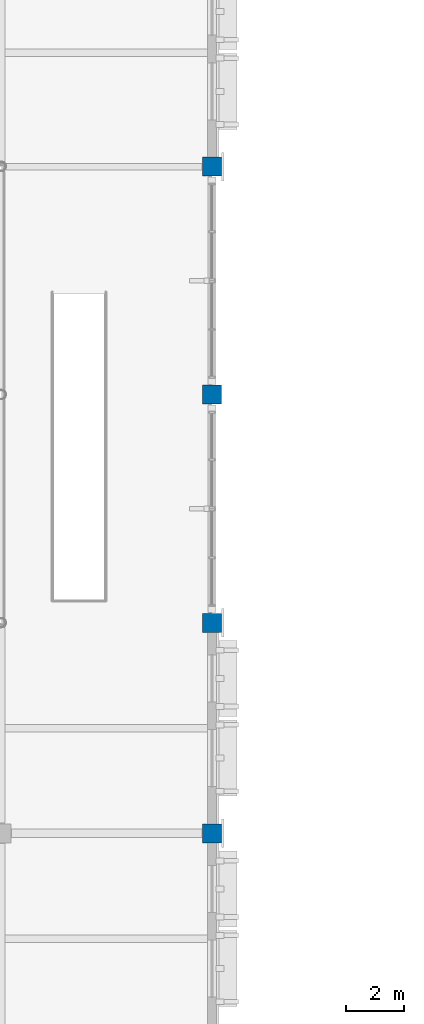
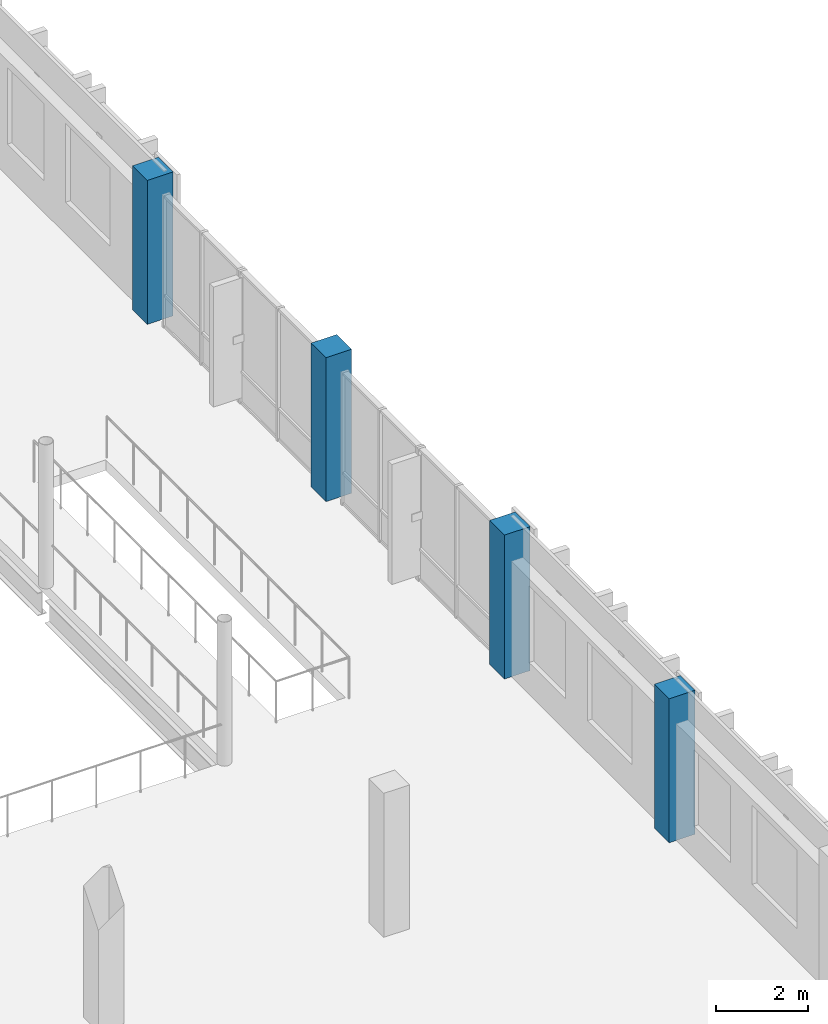
# One storey, part 4 of 85: 4 columns.
"""IFC4 building model written with IfcOpenShell, lengths in metres."""

from ifc_helpers import new_model, si_unit, direction, frame, origin, origin_2d, place, context, subcontext, project, spatial, rectangle, extrude, material, material_profile, profile_set, type_object, element, save


model = new_model("IFC4")

# Units and contexts
model_context = context("Model", 3, precision=1e-05, world=origin(), true_north=direction((0.0, 1.0)))
body_context = subcontext(model_context, "Body", "Model", "MODEL_VIEW")
ifc_project = project(units=[si_unit("LENGTHUNIT", "METRE"), si_unit("AREAUNIT", "SQUARE_METRE"), si_unit("VOLUMEUNIT", "CUBIC_METRE"), si_unit("PLANEANGLEUNIT", "RADIAN"), si_unit("MASSUNIT", "GRAM", prefix="KILO")], contexts=[model_context])

# Site, building, storey
site_placement = place(None, origin())
site = spatial("IfcSite", under=ifc_project, at=site_placement, CompositionType="ELEMENT")
building_placement = place(site_placement, origin())
building = spatial("IfcBuilding", under=site, at=building_placement, Name="Vervanel Yard Central Library", CompositionType="ELEMENT")
storey_placement = place(building_placement, frame((0.0, 0.0, 5.10009765625)))
storey = spatial("IfcBuildingStorey", under=building, at=storey_placement, Name="L01", CompositionType="ELEMENT", Elevation=5.10009765625)

# Columns
ifc_material = material(Name="Concrete C40/50", Category="concrete")
ifc_material_profile = material_profile(ifc_material, rectangle(XDim=0.64990234375, YDim=0.64990234375, at=origin_2d()), Name="RC 650x650", Category="concrete")
ifc_profile_set = profile_set([ifc_material_profile], Name="Concrete C40/50")
column_type = type_object("IfcColumnType", Name="Concrete Column 650x650", PredefinedType="COLUMN", material=ifc_profile_set)
for number, where, z_axis, x_axis, name in (
    (1, (36.0, 36.0, 0.0), (0.0, 0.0, 1.0), (1.0, 0.0, 0.0), "L01 Concrete Column 650x650 (36.0, 36.0)"),
    (2, (36.0, 43.199951171875, 0.0), (0.0, 0.0, 1.0), (1.0, 0.0, 0.0), "L01 Concrete Column 650x650 (36.0, 43.2)"),
    (3, (36.0, 51.0, 0.0), (0.0, 0.0, 1.0), (1.0, 0.0, 0.0), "L01 Concrete Column 650x650 (36.0, 51.0)"),
    (4, (36.0, 58.800048828125, 0.0), (0.0, 0.0, 1.0), (1.0, 0.0, 0.0), "L01 Concrete Column 650x650 (36.0, 58.8)"),
):
    element("IfcColumn", number, at=place(storey_placement, frame(where, z_axis=z_axis, x_axis=x_axis)), inside=storey, type_object=column_type, Name=name, PredefinedType="COLUMN", context=body_context, shape_type="SweptSolid", body=[
        extrude(rectangle(XDim=0.64990234375, YDim=0.64990234375, at=origin_2d()), origin(), (0.0, 0.0, 1.0), 3.83984375),
    ])

save(model, "model.ifc")
